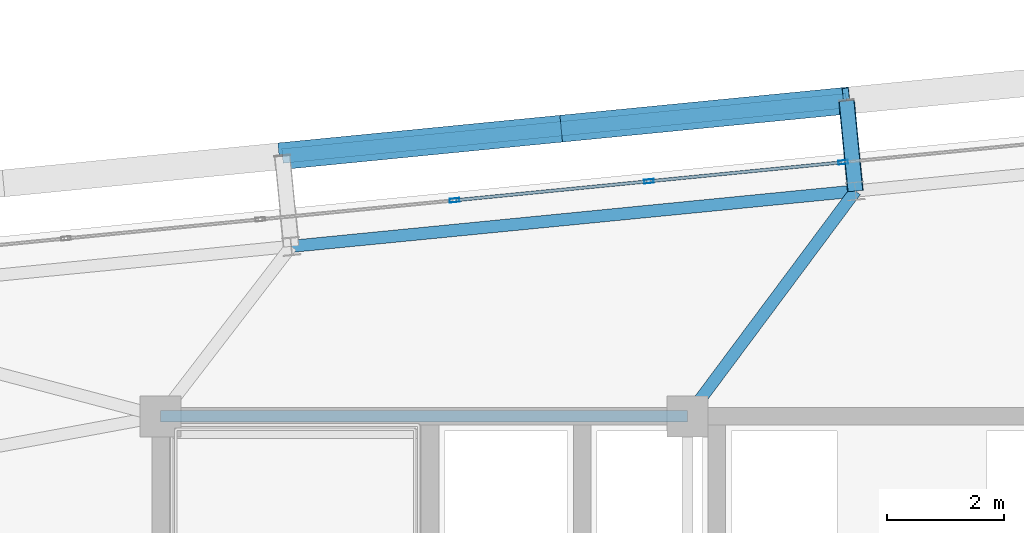
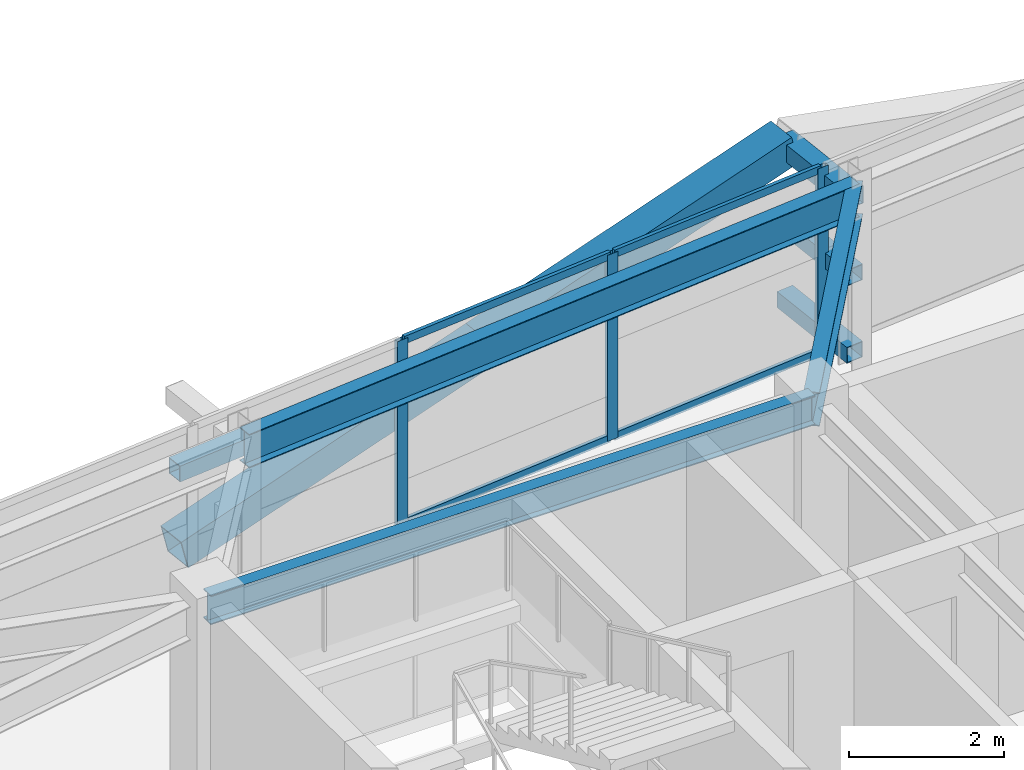
# One storey, part 29 of 52: 13 members, 3 beams, 1 element without a shape of its own.
"""IFC4 building model written with IfcOpenShell, lengths in metres."""

from ifc_helpers import new_model, si_unit, direction, frame, origin, origin_2d, place, context, subcontext, project, spatial, hollow_rectangle, i_section, extrude, source, transform, mapped, material, layer, layer_set, material_profile, profile_set, type_object, element, aggregate, save


model = new_model("IFC4")

# Units and contexts
model_context = context("Model", 3, precision=1e-05, world=origin(), true_north=direction((0.0, 1.0)))
body_context = subcontext(model_context, "Body", "Model", "MODEL_VIEW")
ifc_project = project(units=[si_unit("LENGTHUNIT", "METRE"), si_unit("AREAUNIT", "SQUARE_METRE"), si_unit("VOLUMEUNIT", "CUBIC_METRE"), si_unit("PLANEANGLEUNIT", "RADIAN"), si_unit("MASSUNIT", "GRAM", prefix="KILO")], contexts=[model_context])

# Site, building, storey
site_placement = place(None, origin())
site = spatial("IfcSite", under=ifc_project, at=site_placement, CompositionType="ELEMENT")
building_placement = place(site_placement, origin())
building = spatial("IfcBuilding", under=site, at=building_placement, Name="Taldren Reach Tower", CompositionType="ELEMENT")
storey_placement = place(building_placement, frame((0.0, 0.0, 96.60009765625)))
storey = spatial("IfcBuildingStorey", under=building, at=storey_placement, Name="L29", CompositionType="ELEMENT", Elevation=96.60009765625)

# Beam
ifc_material_1 = material(Name="Steel Gr 350 (350PLUS)", Category="steel")
ifc_material_profile_1 = material_profile(ifc_material_1, i_section(OverallWidth=0.19091796875, OverallDepth=0.4599609375, WebThickness=0.010009765625, FlangeThickness=0.01611328125, at=origin_2d()), Name="460UB82.1")
ifc_profile_set_1 = profile_set([ifc_material_profile_1], Name="Steel Gr 350 (350PLUS)")
beam_type_1 = type_object("IfcBeamType", Name="BM-UB460A", PredefinedType="BEAM", material=ifc_profile_set_1)
shared_shape_1 = source(origin(), body_context, "Body", "SweptSolid", [
    extrude(i_section(OverallWidth=0.19091796875, OverallDepth=0.4599609375, WebThickness=0.010009765625, FlangeThickness=0.01611328125, at=origin_2d()), origin(), (0.0, 0.0, 1.0), 9.0),
])
beam_1_placement = place(storey_placement, frame((19.0, 32.0, 2.699951171875), z_axis=(1.0, 0.0, 0.0), x_axis=(0.0, 1.0, 0.0)))
element("IfcBeam", 1, at=beam_1_placement, inside=storey, type_object=beam_type_1, Name="Core-spine girder L29-SP04", PredefinedType="BEAM", context=body_context, shape_type="MappedRepresentation", body=[
    mapped(shared_shape_1, transform((0.0, 0.0, 0.0), scale=1.0)),
])

# Members
ifc_material_2 = material(Name="Steel Gr 450 (C450L0)", Category="steel")
ifc_material_profile_2 = material_profile(ifc_material_2, hollow_rectangle(XDim=0.27490234375, YDim=0.27490234375, WallThickness=0.00927734375, at=origin_2d()), Name="275x275x9.3SHS")
ifc_profile_set_2 = profile_set([ifc_material_profile_2], Name="Steel Gr 450 (C450L0)")
member_type_1 = type_object("IfcMemberType", Name="MB-TIE273", PredefinedType="STRUT", material=ifc_profile_set_2)
shared_shape_2 = source(origin(), body_context, "Body", "SweptSolid", [
    extrude(hollow_rectangle(XDim=0.27490234375, YDim=0.27490234375, WallThickness=0.00927734375, at=origin_2d()), origin(), (0.0, 0.0, 1.0), 1.5498046875),
])
member_1_placement = place(storey_placement, frame((30.864501953125, 35.84619140625, 2.64990234375), z_axis=(-0.097663201064, 0.995219523099, 0.0), x_axis=(-0.995219523099, -0.097663201064, 0.0)))
element("IfcMember", 2, at=member_1_placement, inside=storey, type_object=member_type_1, Name="Exoskeleton diaphragm tie strut B2-N3 L29", PredefinedType="STRUT", context=body_context, shape_type="MappedRepresentation", body=[
    mapped(shared_shape_2, transform((0.0, 0.0, 0.0), scale=1.0)),
])
ifc_material_3 = material(Name="Steel Gr 350 (C350L0)", Category="steel")
ifc_material_profile_3 = material_profile(ifc_material_3, hollow_rectangle(XDim=0.25, YDim=0.25, WallThickness=0.010009765625, at=origin_2d()), Name="250x250x10.0SHS")
ifc_profile_set_3 = profile_set([ifc_material_profile_3], Name="Steel Gr 350 (C350L0)")
member_type_2 = type_object("IfcMemberType", Name="MB-POST250", PredefinedType="POST", material=ifc_profile_set_3)
shared_shape_3 = source(origin(), body_context, "Body", "SweptSolid", [
    extrude(hollow_rectangle(XDim=0.25, YDim=0.25, WallThickness=0.010009765625, at=origin_2d()), origin(), (0.0, 0.0, 1.0), 1.5498046875),
])
for number, where, z_axis, x_axis, name in (
    (3, (30.864501953125, 35.84619140625, 0.219970703125), (-0.097663201064, 0.995219523099, 0.0), (-0.995219523099, -0.097663201064, 0.0), "Exoskeleton base diaphragm tie strut B2-N3 L29"),
    (4, (30.864501953125, 35.84619140625, 1.434814453125), (-0.097663201064, 0.995219523099, 0.0), (-0.995219523099, -0.097663201064, 0.0), "Exoskeleton mid-tier diaphragm tie B2-N3 L29"),
):
    element("IfcMember", number, at=place(storey_placement, frame(where, z_axis=z_axis, x_axis=x_axis)), inside=storey, type_object=member_type_2, Name=name, PredefinedType="POST", context=body_context, shape_type="MappedRepresentation", body=[
        mapped(shared_shape_3, transform((0.0, 0.0, 0.0), scale=1.0)),
    ])

# Beams
ifc_material_profile_4 = material_profile(ifc_material_1, i_section(OverallWidth=0.208984375, OverallDepth=0.528076171875, WebThickness=0.009521484375, FlangeThickness=0.01318359375, at=origin_2d()), Name="530UB82.0")
ifc_profile_set_4 = profile_set([ifc_material_profile_4], Name="Steel Gr 350 (350PLUS)")
beam_type_2 = type_object("IfcBeamType", Name="SP-UB530B", PredefinedType="SPANDREL", material=ifc_profile_set_4)
shared_shape_4 = source(origin(), body_context, "Body", "SweptSolid", [
    extrude(i_section(OverallWidth=0.208984375, OverallDepth=0.528076171875, WebThickness=0.009521484375, FlangeThickness=0.01318359375, at=origin_2d()), origin(), (0.0, 0.0, 1.0), 9.679931640625),
])
beam_2_placement = place(storey_placement, frame((30.864501953125, 35.84619140625, 2.666015625), z_axis=(-0.995225162995, -0.097605711627, 0.0), x_axis=(0.097605711627, -0.995225162995, 0.0)))
element("IfcBeam", 5, at=beam_2_placement, inside=storey, type_object=beam_type_2, Name="Perimeter spandrel B2 N3-N2 L29", PredefinedType="SPANDREL", context=body_context, shape_type="MappedRepresentation", body=[
    mapped(shared_shape_4, transform((0.0, 0.0, 0.0), scale=1.0)),
])
ifc_material_profile_5 = material_profile(ifc_material_1, i_section(OverallWidth=0.208984375, OverallDepth=0.532958984375, WebThickness=0.01025390625, FlangeThickness=0.015625, at=origin_2d()), Name="530UB92.4")
ifc_profile_set_5 = profile_set([ifc_material_profile_5], Name="Steel Gr 350 (350PLUS)")
beam_type_3 = type_object("IfcBeamType", Name="BM-UB530A", PredefinedType="BEAM", material=ifc_profile_set_5)
shared_shape_5 = source(origin(), body_context, "Body", "SweptSolid", [
    extrude(i_section(OverallWidth=0.208984375, OverallDepth=0.532958984375, WebThickness=0.01025390625, FlangeThickness=0.015625, at=origin_2d()), origin(), (0.0, 0.0, 1.0), 4.795654296875),
])
beam_3_placement = place(storey_placement, frame((28.0, 32.0, 2.663330078125), z_axis=(0.59730864792, 0.802011458223, 0.0), x_axis=(-0.802011458223, 0.59730864792, 0.0)))
element("IfcBeam", 6, at=beam_3_placement, inside=storey, type_object=beam_type_3, Name="Primary floor girder B2-N3 L29", PredefinedType="BEAM", context=body_context, shape_type="MappedRepresentation", body=[
    mapped(shared_shape_5, transform((0.0, 0.0, 0.0), scale=1.0)),
])

# Members
ifc_material_profile_6 = material_profile(ifc_material_2, hollow_rectangle(XDim=0.4599609375, YDim=0.4599609375, WallThickness=0.01611328125, at=origin_2d()), Name="460x460x16.0SHS")
ifc_profile_set_6 = profile_set([ifc_material_profile_6], Name="Steel Gr 450 (C450L0)")
member_type_3 = type_object("IfcMemberType", Name="MB-EXO457", PredefinedType="BRACE", material=ifc_profile_set_6)
shared_shape_6 = source(origin(), body_context, "Body", "SweptSolid", [
    extrude(hollow_rectangle(XDim=0.4599609375, YDim=0.4599609375, WallThickness=0.01611328125, at=origin_2d()), origin(), (0.0, 0.0, 1.0), 4.990234375),
])
for number, where, z_axis, x_axis, name in (
    (7, (21.079345703125, 36.444091796875, 0.219970703125), (0.965282554799, 0.094669120301, 0.243448859234), (-0.097605711627, 0.995225162995, 0.0), "Exoskeleton Diagrid Brace B2-N2 L29"),
    (8, (25.896240234375, 36.91650390625, 1.434814453125), (0.965275526283, 0.094619506732, 0.243496010862), (-0.097555749586, 0.995230061706, 0.0), "Exoskeleton Diagrid Brace B2-N2 L29"),
):
    element("IfcMember", number, at=place(storey_placement, frame(where, z_axis=z_axis, x_axis=x_axis)), inside=storey, type_object=member_type_3, Name=name, PredefinedType="BRACE", context=body_context, shape_type="MappedRepresentation", body=[
        mapped(shared_shape_6, transform((0.0, 0.0, 0.0), scale=1.0)),
    ])
shared_shape_7 = source(origin(), body_context, "Body", "SweptSolid", [
    extrude(hollow_rectangle(XDim=0.25, YDim=0.25, WallThickness=0.010009765625, at=origin_2d()), origin(), (0.0, 0.0, 1.0), 9.679931640625),
])
member_2_placement = place(storey_placement, frame((21.079345703125, 36.444091796875, 1.434814453125), z_axis=(0.995227612658, 0.097580730699, 0.0), x_axis=(-0.097580730699, 0.995227612658, 0.0)))
element("IfcMember", 9, at=member_2_placement, inside=storey, type_object=member_type_2, Name="Exoskeleton mid-height ring chord B2-N2 L29", PredefinedType="POST", context=body_context, shape_type="MappedRepresentation", body=[
    mapped(shared_shape_7, transform((0.0, 0.0, 0.0), scale=1.0)),
])

# Curtain wall, members
ifc_material_4 = material(Name="Aluminium and Low-E Glass Unitised System", Category="aluminium")
ifc_layer = layer(ifc_material_4, 0.159912109375)
ifc_layer_set = layer_set([ifc_layer], Name="Aluminium and Low-E Glass Unitised System")
curtain_wall_type = type_object("IfcCurtainWallType", Name="CW-SYS-3", PredefinedType="NOTDEFINED", material=ifc_layer_set)
curtain_wall_placement = place(storey_placement, origin())
curtain_wall = element("IfcCurtainWall", 10, at=curtain_wall_placement, inside=storey, type_object=curtain_wall_type, Name="Unitised curtain wall CW-L29-N", PredefinedType="NOTDEFINED")
ifc_material_5 = material(Name="Anodised Aluminium 6063-T6", Category="aluminium")
ifc_material_profile_7 = material_profile(ifc_material_5, hollow_rectangle(XDim=0.06494140625, YDim=0.1650390625, WallThickness=0.00390625, at=origin_2d()), Name="ALU-165x65x4RHS")
ifc_profile_set_7 = profile_set([ifc_material_profile_7], Name="Anodised Aluminium 6063-T6")
member_type_4 = type_object("IfcMemberType", Name="CW-MUL-165", PredefinedType="MULLION", material=ifc_profile_set_7)
shared_shape_8 = source(origin(), body_context, "Body", "SweptSolid", [
    extrude(hollow_rectangle(XDim=0.06494140625, YDim=0.1650390625, WallThickness=0.00390625, at=origin_2d()), origin(), (0.0, 0.0, 1.0), 2.929931640625),
])
member_3_placement = place(storey_placement, frame((30.655517578125, 36.338134765625, 0.0), z_axis=(0.0, 0.0, 1.0), x_axis=(0.097582999046, -0.995227390247, 0.0)))
member_3 = element("IfcMember", 11, at=member_3_placement, type_object=member_type_4, Name="CW-3 mullion 10", PredefinedType="MULLION", context=body_context, shape_type="MappedRepresentation", body=[
    mapped(shared_shape_8, transform((0.0, 0.0, 0.0), scale=1.0)),
])
member_4_placement = place(storey_placement, frame((27.337890625, 36.0126953125, 0.0), z_axis=(0.0, 0.0, 1.0), x_axis=(0.097582999046, -0.995227390247, 0.0)))
member_4 = element("IfcMember", 12, at=member_4_placement, type_object=member_type_4, Name="CW-3 mullion 11", PredefinedType="MULLION", context=body_context, shape_type="MappedRepresentation", body=[
    mapped(shared_shape_8, transform((0.0, 0.0, 0.0), scale=1.0)),
])
member_5_placement = place(storey_placement, frame((24.0205078125, 35.6875, 0.0), z_axis=(0.0, 0.0, 1.0), x_axis=(0.097582999046, -0.995227390247, 0.0)))
member_5 = element("IfcMember", 13, at=member_5_placement, type_object=member_type_4, Name="CW-3 mullion 12", PredefinedType="MULLION", context=body_context, shape_type="MappedRepresentation", body=[
    mapped(shared_shape_8, transform((0.0, 0.0, 0.0), scale=1.0)),
])
ifc_material_profile_8 = material_profile(ifc_material_5, hollow_rectangle(XDim=0.054931640625, YDim=0.1201171875, WallThickness=0.0029296875, at=origin_2d()), Name="ALU-120x55x3RHS")
ifc_profile_set_8 = profile_set([ifc_material_profile_8], Name="Anodised Aluminium 6063-T6")
member_type_5 = type_object("IfcMemberType", Name="CW-TRN-135", PredefinedType="USERDEFINED", material=ifc_profile_set_8)
shared_shape_9 = source(origin(), body_context, "Body", "SweptSolid", [
    extrude(hollow_rectangle(XDim=0.054931640625, YDim=0.1201171875, WallThickness=0.0029296875, at=origin_2d()), origin(), (0.0, 0.0, 1.0), 3.268310546875),
])
member_6_placement = place(storey_placement, frame((30.623046875, 36.3349609375, 0.02734375), z_axis=(-0.995222549564, -0.097632355496, 0.0), x_axis=(0.097632355496, -0.995222549564, 0.0)))
member_6 = element("IfcMember", 14, at=member_6_placement, type_object=member_type_5, Name="CW-3 transom 10.1", ObjectType="TRANSOM", PredefinedType="USERDEFINED", context=body_context, shape_type="MappedRepresentation", body=[
    mapped(shared_shape_9, transform((0.0, 0.0, 0.0), scale=1.0)),
])
member_7_placement = place(storey_placement, frame((30.623046875, 36.3349609375, 2.90234375), z_axis=(-0.995222549564, -0.097632355496, 0.0), x_axis=(0.097632355496, -0.995222549564, 0.0)))
member_7 = element("IfcMember", 15, at=member_7_placement, type_object=member_type_5, Name="CW-3 transom 10.2", ObjectType="TRANSOM", PredefinedType="USERDEFINED", context=body_context, shape_type="MappedRepresentation", body=[
    mapped(shared_shape_9, transform((0.0, 0.0, 0.0), scale=1.0)),
])
member_8_placement = place(storey_placement, frame((27.3056640625, 36.009521484375, 0.02734375), z_axis=(-0.99522980512, -0.097558367146, 0.0), x_axis=(0.097558367146, -0.99522980512, 0.0)))
member_8 = element("IfcMember", 16, at=member_8_placement, type_object=member_type_5, Name="CW-3 transom 11.1", ObjectType="TRANSOM", PredefinedType="USERDEFINED", context=body_context, shape_type="MappedRepresentation", body=[
    mapped(shared_shape_9, transform((0.0, 0.0, 0.0), scale=1.0)),
])
member_9_placement = place(storey_placement, frame((27.3056640625, 36.009521484375, 2.90234375), z_axis=(-0.99522980512, -0.097558367146, 0.0), x_axis=(0.097558367146, -0.99522980512, 0.0)))
member_9 = element("IfcMember", 17, at=member_9_placement, type_object=member_type_5, Name="CW-3 transom 11.2", ObjectType="TRANSOM", PredefinedType="USERDEFINED", context=body_context, shape_type="MappedRepresentation", body=[
    mapped(shared_shape_9, transform((0.0, 0.0, 0.0), scale=1.0)),
])
aggregate(curtain_wall, [member_3, member_4, member_5, member_6, member_7, member_8, member_9])

save(model, "model.ifc")
